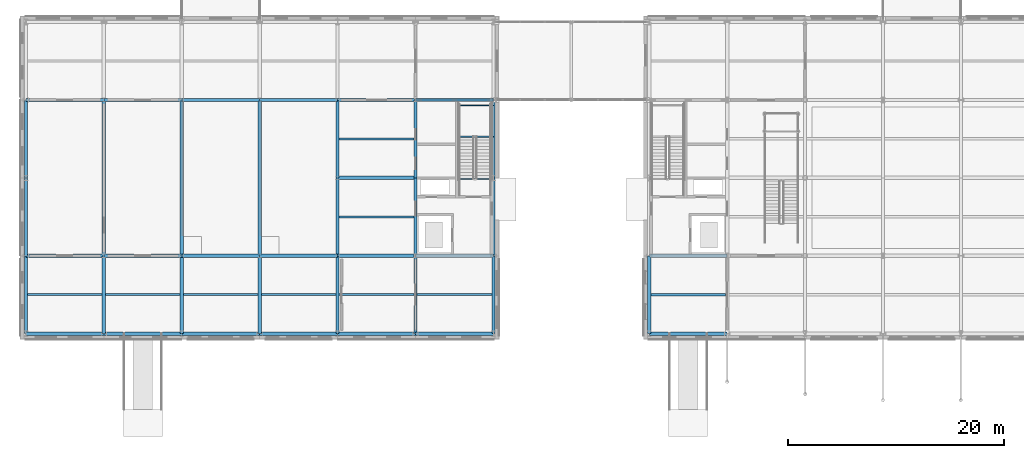
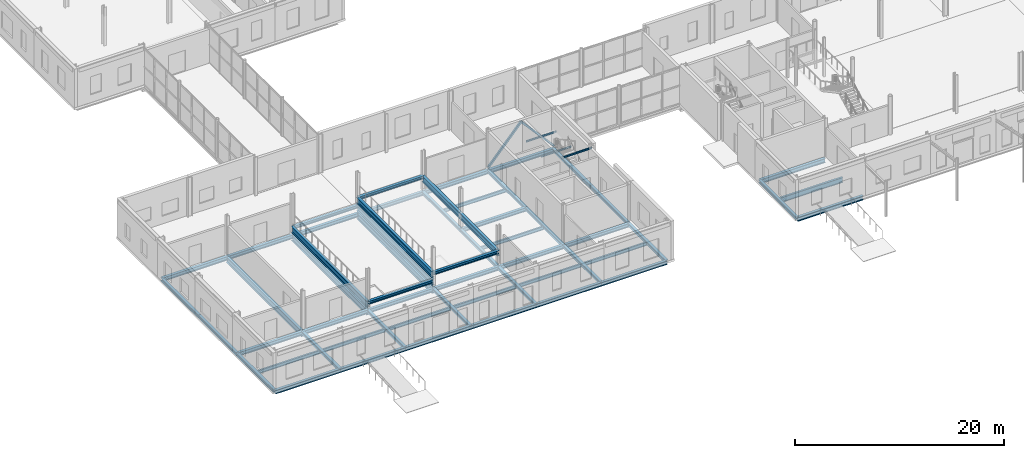
# One storey, part 21 of 92: 60 beams, 2 members.
"""IFC4 building model written with IfcOpenShell, lengths in metres."""

from ifc_helpers import new_model, si_unit, direction, frame, origin, origin_2d, place, context, subcontext, project, spatial, hollow_rectangle, i_section, extrude, material, material_profile, profile_set, type_object, element, save


model = new_model("IFC4")

# Units and contexts
model_context = context("Model", 3, precision=1e-05, world=origin(), true_north=direction((0.0, 1.0)))
body_context = subcontext(model_context, "Body", "Model", "MODEL_VIEW")
ifc_project = project(units=[si_unit("LENGTHUNIT", "METRE"), si_unit("AREAUNIT", "SQUARE_METRE"), si_unit("VOLUMEUNIT", "CUBIC_METRE"), si_unit("PLANEANGLEUNIT", "RADIAN"), si_unit("MASSUNIT", "GRAM", prefix="KILO")], contexts=[model_context])

# Site, building, storey
site_placement = place(None, origin())
site = spatial("IfcSite", under=ifc_project, at=site_placement, CompositionType="ELEMENT")
building_placement = place(site_placement, origin())
building = spatial("IfcBuilding", under=site, at=building_placement, Name="Zlatovets Crest Museum", CompositionType="ELEMENT")
storey_placement = place(building_placement, origin())
storey = spatial("IfcBuildingStorey", under=building, at=storey_placement, Name="L00", CompositionType="ELEMENT", Elevation=0.0)

# Beams
ifc_material = material(Name="Structural steel S355J2", Category="steel")
ifc_material_profile_1 = material_profile(ifc_material, i_section(OverallWidth=0.300048828125, OverallDepth=0.489990234375, WebThickness=0.011962890625, FlangeThickness=0.02294921875, FilletRadius=0.027099609375, at=origin_2d()), Name="HEA 500")
ifc_profile_set_1 = profile_set([ifc_material_profile_1], Name="Structural steel S355J2")
beam_type_1 = type_object("IfcBeamType", Name="Beam_B-01", PredefinedType="BEAM", material=ifc_profile_set_1)
for number, where, z_axis, x_axis, name in (
    (1, (57.60009765625, 0.0, -0.4951171875), (1.0, 0.0, 0.0), (0.0, 1.0, 0.0), "V2 L00 Primary Girder B-01"),
    (2, (57.60009765625, 7.199951171875, -0.4951171875), (1.0, 0.0, 0.0), (0.0, 1.0, 0.0), "V2 L00 Primary Girder B-01"),
):
    element("IfcBeam", number, at=place(storey_placement, frame(where, z_axis=z_axis, x_axis=x_axis)), inside=storey, type_object=beam_type_1, Name=name, PredefinedType="BEAM", context=body_context, shape_type="SweptSolid", body=[
        extrude(i_section(OverallWidth=0.300048828125, OverallDepth=0.489990234375, WebThickness=0.011962890625, FlangeThickness=0.02294921875, FilletRadius=0.027099609375, at=origin_2d()), origin(), (0.0, 0.0, 1.0), 7.199951171875),
    ])
ifc_material_profile_2 = material_profile(ifc_material, i_section(OverallWidth=0.300048828125, OverallDepth=0.35009765625, WebThickness=0.010009765625, FlangeThickness=0.017578125, FilletRadius=0.027099609375, at=origin_2d()), Name="HEA 360")
ifc_profile_set_2 = profile_set([ifc_material_profile_2], Name="Structural steel S355J2")
beam_type_2 = type_object("IfcBeamType", Name="Beam_B-03", PredefinedType="BEAM", material=ifc_profile_set_2)
for number, where, z_axis, x_axis, name in (
    (3, (57.60009765625, 0.0, -0.425048828125), (0.0, 1.0, 0.0), (-1.0, 0.0, 0.0), "V2 L00 Grid Beam B-03"),
    (4, (0.0, 0.0, -0.425048828125), (0.0, 1.0, 0.0), (-1.0, 0.0, 0.0), "V3 L00 Grid Beam B-03"),
    (5, (0.0, 7.199951171875, -0.425048828125), (0.0, 1.0, 0.0), (-1.0, 0.0, 0.0), "V3 L00 Grid Beam B-03"),
):
    element("IfcBeam", number, at=place(storey_placement, frame(where, z_axis=z_axis, x_axis=x_axis)), inside=storey, type_object=beam_type_2, Name=name, PredefinedType="BEAM", context=body_context, shape_type="SweptSolid", body=[
        extrude(i_section(OverallWidth=0.300048828125, OverallDepth=0.35009765625, WebThickness=0.010009765625, FlangeThickness=0.017578125, FilletRadius=0.027099609375, at=origin_2d()), origin(), (0.0, 0.0, 1.0), 7.199951171875),
    ])
beam_1_placement = place(storey_placement, frame((0.0, 14.39990234375, -0.425048828125), z_axis=(0.0, 1.0, 0.0), x_axis=(-1.0, 0.0, 0.0)))
element("IfcBeam", 6, at=beam_1_placement, inside=storey, type_object=beam_type_2, Name="V3 L00 Grid Beam B-03", PredefinedType="BEAM", context=body_context, shape_type="SweptSolid", body=[
    extrude(i_section(OverallWidth=0.300048828125, OverallDepth=0.35009765625, WebThickness=0.010009765625, FlangeThickness=0.017578125, FilletRadius=0.027099609375, at=origin_2d()), origin(), (0.0, 0.0, 1.0), 7.2001953125),
])
for number, where, z_axis, x_axis, name in (
    (7, (7.199951171875, 0.0, -0.425048828125), (0.0, 1.0, 0.0), (-1.0, 0.0, 0.0), "V3 L00 Grid Beam B-03"),
    (8, (14.39990234375, 0.0, -0.425048828125), (0.0, 1.0, 0.0), (-1.0, 0.0, 0.0), "V3 L00 Grid Beam B-03"),
    (9, (21.60009765625, 0.0, -0.425048828125), (0.0, 1.0, 0.0), (-1.0, 0.0, 0.0), "V3 L00 Grid Beam B-03"),
    (10, (28.800048828125, 0.0, -0.425048828125), (0.0, 1.0, 0.0), (-1.0, 0.0, 0.0), "V3 L00 Grid Beam B-03"),
    (11, (28.800048828125, 7.199951171875, -0.425048828125), (0.0, 1.0, 0.0), (-1.0, 0.0, 0.0), "V3 L00 Grid Beam B-03"),
):
    element("IfcBeam", number, at=place(storey_placement, frame(where, z_axis=z_axis, x_axis=x_axis)), inside=storey, type_object=beam_type_2, Name=name, PredefinedType="BEAM", context=body_context, shape_type="SweptSolid", body=[
        extrude(i_section(OverallWidth=0.300048828125, OverallDepth=0.35009765625, WebThickness=0.010009765625, FlangeThickness=0.017578125, FilletRadius=0.027099609375, at=origin_2d()), origin(), (0.0, 0.0, 1.0), 7.199951171875),
    ])
beam_2_placement = place(storey_placement, frame((28.800048828125, 14.39990234375, -0.425048828125), z_axis=(0.0, 1.0, 0.0), x_axis=(-1.0, 0.0, 0.0)))
element("IfcBeam", 12, at=beam_2_placement, inside=storey, type_object=beam_type_2, Name="V3 L00 Grid Beam B-03", PredefinedType="BEAM", context=body_context, shape_type="SweptSolid", body=[
    extrude(i_section(OverallWidth=0.300048828125, OverallDepth=0.35009765625, WebThickness=0.010009765625, FlangeThickness=0.017578125, FilletRadius=0.027099609375, at=origin_2d()), origin(), (0.0, 0.0, 1.0), 7.2001953125),
])
for number, where, z_axis, x_axis, name in (
    (13, (36.0, 0.0, -0.425048828125), (0.0, 1.0, 0.0), (-1.0, 0.0, 0.0), "V3 L00 Grid Beam B-03"),
    (14, (36.0, 7.199951171875, -0.425048828125), (0.0, 1.0, 0.0), (-1.0, 0.0, 0.0), "V3 L00 Grid Beam B-03"),
):
    element("IfcBeam", number, at=place(storey_placement, frame(where, z_axis=z_axis, x_axis=x_axis)), inside=storey, type_object=beam_type_2, Name=name, PredefinedType="BEAM", context=body_context, shape_type="SweptSolid", body=[
        extrude(i_section(OverallWidth=0.300048828125, OverallDepth=0.35009765625, WebThickness=0.010009765625, FlangeThickness=0.017578125, FilletRadius=0.027099609375, at=origin_2d()), origin(), (0.0, 0.0, 1.0), 7.199951171875),
    ])
beam_3_placement = place(storey_placement, frame((36.0, 14.39990234375, -0.425048828125), z_axis=(0.0, 1.0, 0.0), x_axis=(-1.0, 0.0, 0.0)))
element("IfcBeam", 15, at=beam_3_placement, inside=storey, type_object=beam_type_2, Name="V3 L00 Grid Beam B-03", PredefinedType="BEAM", context=body_context, shape_type="SweptSolid", body=[
    extrude(i_section(OverallWidth=0.300048828125, OverallDepth=0.35009765625, WebThickness=0.010009765625, FlangeThickness=0.017578125, FilletRadius=0.027099609375, at=origin_2d()), origin(), (0.0, 0.0, 1.0), 7.2001953125),
])
for number, where, z_axis, x_axis, name in (
    (16, (43.199951171875, 0.0, -0.425048828125), (0.0, 1.0, 0.0), (-1.0, 0.0, 0.0), "V3 L00 Grid Beam B-03"),
    (17, (43.199951171875, 7.199951171875, -0.425048828125), (0.0, 1.0, 0.0), (-1.0, 0.0, 0.0), "V3 L00 Grid Beam B-03"),
):
    element("IfcBeam", number, at=place(storey_placement, frame(where, z_axis=z_axis, x_axis=x_axis)), inside=storey, type_object=beam_type_2, Name=name, PredefinedType="BEAM", context=body_context, shape_type="SweptSolid", body=[
        extrude(i_section(OverallWidth=0.300048828125, OverallDepth=0.35009765625, WebThickness=0.010009765625, FlangeThickness=0.017578125, FilletRadius=0.027099609375, at=origin_2d()), origin(), (0.0, 0.0, 1.0), 7.199951171875),
    ])
for number, where, z_axis, x_axis, name in (
    (18, (43.199951171875, 14.39990234375, -0.425048828125), (0.0, 1.0, 0.0), (-1.0, 0.0, 0.0), "V3 L00 Grid Beam B-03"),
    (19, (14.39990234375, 7.199951171875, 0.52490234375), (1.0, 0.0, 0.0), (0.0, 1.0, 0.0), "Auditorium Tier 1 Edge Beam"),
    (20, (14.39990234375, 21.60009765625, 0.52490234375), (1.0, 0.0, 0.0), (0.0, 1.0, 0.0), "Auditorium Tier 1 Edge Beam"),
):
    element("IfcBeam", number, at=place(storey_placement, frame(where, z_axis=z_axis, x_axis=x_axis)), inside=storey, type_object=beam_type_2, Name=name, PredefinedType="BEAM", context=body_context, shape_type="SweptSolid", body=[
        extrude(i_section(OverallWidth=0.300048828125, OverallDepth=0.35009765625, WebThickness=0.010009765625, FlangeThickness=0.017578125, FilletRadius=0.027099609375, at=origin_2d()), origin(), (0.0, 0.0, 1.0), 7.2001953125),
    ])
for number, where, z_axis, x_axis, name in (
    (21, (21.60009765625, 7.199951171875, 1.425048828125), (1.0, 0.0, 0.0), (0.0, 1.0, 0.0), "Auditorium Tier 2 Edge Beam"),
    (22, (21.60009765625, 21.60009765625, 1.425048828125), (1.0, 0.0, 0.0), (0.0, 1.0, 0.0), "Auditorium Tier 2 Edge Beam"),
):
    element("IfcBeam", number, at=place(storey_placement, frame(where, z_axis=z_axis, x_axis=x_axis)), inside=storey, type_object=beam_type_2, Name=name, PredefinedType="BEAM", context=body_context, shape_type="SweptSolid", body=[
        extrude(i_section(OverallWidth=0.300048828125, OverallDepth=0.35009765625, WebThickness=0.010009765625, FlangeThickness=0.017578125, FilletRadius=0.027099609375, at=origin_2d()), origin(), (0.0, 0.0, 1.0), 7.199951171875),
    ])
ifc_material_profile_3 = material_profile(ifc_material, i_section(OverallWidth=0.300048828125, OverallDepth=0.699951171875, WebThickness=0.01708984375, FlangeThickness=0.031982421875, FilletRadius=0.027099609375, at=origin_2d()), Name="HEB 700")
ifc_profile_set_3 = profile_set([ifc_material_profile_3], Name="Structural steel S355J2")
beam_type_3 = type_object("IfcBeamType", Name="Beam_B-08", PredefinedType="BEAM", material=ifc_profile_set_3)
for number, where, z_axis, x_axis, name in (
    (23, (7.199951171875, 7.199951171875, -0.60009765625), (0.0, 1.0, 0.0), (-1.0, 0.0, 0.0), "V3 L00 Grid Beam B-08"),
    (24, (14.39990234375, 7.199951171875, -0.60009765625), (0.0, 1.0, 0.0), (-1.0, 0.0, 0.0), "V3 L00 Grid Beam B-08"),
    (25, (21.60009765625, 7.199951171875, -0.60009765625), (0.0, 1.0, 0.0), (-1.0, 0.0, 0.0), "V3 L00 Grid Beam B-08"),
    (26, (14.39990234375, 7.199951171875, 0.35009765625), (0.0, 1.0, 0.0), (-1.0, 0.0, 0.0), "Auditorium Tier 1 Span Girder"),
    (27, (21.60009765625, 7.199951171875, 0.35009765625), (0.0, 1.0, 0.0), (-1.0, 0.0, 0.0), "Auditorium Tier 1 Span Girder"),
    (28, (21.60009765625, 7.199951171875, 1.25), (0.0, 1.0, 0.0), (-1.0, 0.0, 0.0), "Auditorium Tier 2 Span Girder"),
    (29, (28.800048828125, 7.199951171875, 1.25), (0.0, 1.0, 0.0), (-1.0, 0.0, 0.0), "Auditorium Tier 2 Span Girder"),
):
    element("IfcBeam", number, at=place(storey_placement, frame(where, z_axis=z_axis, x_axis=x_axis)), inside=storey, type_object=beam_type_3, Name=name, PredefinedType="BEAM", context=body_context, shape_type="SweptSolid", body=[
        extrude(i_section(OverallWidth=0.300048828125, OverallDepth=0.699951171875, WebThickness=0.01708984375, FlangeThickness=0.031982421875, FilletRadius=0.027099609375, at=origin_2d()), origin(), (0.0, 0.0, 1.0), 14.400146484375),
    ])
ifc_material_profile_4 = material_profile(ifc_material, i_section(OverallWidth=0.300048828125, OverallDepth=0.43994140625, WebThickness=0.011474609375, FlangeThickness=0.02099609375, FilletRadius=0.027099609375, at=origin_2d()), Name="HEA 450")
ifc_profile_set_4 = profile_set([ifc_material_profile_4], Name="Structural steel S355J2")
beam_type_4 = type_object("IfcBeamType", Name="Beam_B-10", PredefinedType="BEAM", material=ifc_profile_set_4)
for number, where, z_axis, x_axis, name in (
    (30, (0.0, 0.0, -0.469970703125), (1.0, 0.0, 0.0), (0.0, 1.0, 0.0), "V3 L00 Primary Girder B-10"),
    (31, (7.199951171875, 0.0, -0.469970703125), (1.0, 0.0, 0.0), (0.0, 1.0, 0.0), "V3 L00 Primary Girder B-10"),
):
    element("IfcBeam", number, at=place(storey_placement, frame(where, z_axis=z_axis, x_axis=x_axis)), inside=storey, type_object=beam_type_4, Name=name, PredefinedType="BEAM", context=body_context, shape_type="SweptSolid", body=[
        extrude(i_section(OverallWidth=0.300048828125, OverallDepth=0.43994140625, WebThickness=0.011474609375, FlangeThickness=0.02099609375, FilletRadius=0.027099609375, at=origin_2d()), origin(), (0.0, 0.0, 1.0), 7.199951171875),
    ])
beam_4_placement = place(storey_placement, frame((14.39990234375, 0.0, -0.469970703125), z_axis=(1.0, 0.0, 0.0), x_axis=(0.0, 1.0, 0.0)))
element("IfcBeam", 32, at=beam_4_placement, inside=storey, type_object=beam_type_4, Name="V3 L00 Primary Girder B-10", PredefinedType="BEAM", context=body_context, shape_type="SweptSolid", body=[
    extrude(i_section(OverallWidth=0.300048828125, OverallDepth=0.43994140625, WebThickness=0.011474609375, FlangeThickness=0.02099609375, FilletRadius=0.027099609375, at=origin_2d()), origin(), (0.0, 0.0, 1.0), 7.2001953125),
])
for number, where, z_axis, x_axis, name in (
    (33, (21.60009765625, 0.0, -0.469970703125), (1.0, 0.0, 0.0), (0.0, 1.0, 0.0), "V3 L00 Primary Girder B-10"),
    (34, (28.800048828125, 0.0, -0.469970703125), (1.0, 0.0, 0.0), (0.0, 1.0, 0.0), "V3 L00 Primary Girder B-10"),
    (35, (36.0, 0.0, -0.469970703125), (1.0, 0.0, 0.0), (0.0, 1.0, 0.0), "V3 L00 Primary Girder B-10"),
    (36, (0.0, 7.199951171875, -0.469970703125), (1.0, 0.0, 0.0), (0.0, 1.0, 0.0), "V3 L00 Primary Girder B-10"),
    (37, (7.199951171875, 7.199951171875, -0.469970703125), (1.0, 0.0, 0.0), (0.0, 1.0, 0.0), "V3 L00 Primary Girder B-10"),
):
    element("IfcBeam", number, at=place(storey_placement, frame(where, z_axis=z_axis, x_axis=x_axis)), inside=storey, type_object=beam_type_4, Name=name, PredefinedType="BEAM", context=body_context, shape_type="SweptSolid", body=[
        extrude(i_section(OverallWidth=0.300048828125, OverallDepth=0.43994140625, WebThickness=0.011474609375, FlangeThickness=0.02099609375, FilletRadius=0.027099609375, at=origin_2d()), origin(), (0.0, 0.0, 1.0), 7.199951171875),
    ])
beam_5_placement = place(storey_placement, frame((14.39990234375, 7.199951171875, -0.469970703125), z_axis=(1.0, 0.0, 0.0), x_axis=(0.0, 1.0, 0.0)))
element("IfcBeam", 38, at=beam_5_placement, inside=storey, type_object=beam_type_4, Name="V3 L00 Primary Girder B-10", PredefinedType="BEAM", context=body_context, shape_type="SweptSolid", body=[
    extrude(i_section(OverallWidth=0.300048828125, OverallDepth=0.43994140625, WebThickness=0.011474609375, FlangeThickness=0.02099609375, FilletRadius=0.027099609375, at=origin_2d()), origin(), (0.0, 0.0, 1.0), 7.2001953125),
])
for number, where, z_axis, x_axis, name in (
    (39, (21.60009765625, 7.199951171875, -0.469970703125), (1.0, 0.0, 0.0), (0.0, 1.0, 0.0), "V3 L00 Primary Girder B-10"),
    (40, (28.800048828125, 7.199951171875, -0.469970703125), (1.0, 0.0, 0.0), (0.0, 1.0, 0.0), "V3 L00 Primary Girder B-10"),
    (41, (36.0, 7.199951171875, -0.469970703125), (1.0, 0.0, 0.0), (0.0, 1.0, 0.0), "V3 L00 Primary Girder B-10"),
    (42, (28.800048828125, 14.39990234375, -0.469970703125), (1.0, 0.0, 0.0), (0.0, 1.0, 0.0), "V3 L00 Primary Girder B-10"),
    (43, (0.0, 21.60009765625, -0.469970703125), (1.0, 0.0, 0.0), (0.0, 1.0, 0.0), "V3 L00 Primary Girder B-10"),
    (44, (7.199951171875, 21.60009765625, -0.469970703125), (1.0, 0.0, 0.0), (0.0, 1.0, 0.0), "V3 L00 Primary Girder B-10"),
):
    element("IfcBeam", number, at=place(storey_placement, frame(where, z_axis=z_axis, x_axis=x_axis)), inside=storey, type_object=beam_type_4, Name=name, PredefinedType="BEAM", context=body_context, shape_type="SweptSolid", body=[
        extrude(i_section(OverallWidth=0.300048828125, OverallDepth=0.43994140625, WebThickness=0.011474609375, FlangeThickness=0.02099609375, FilletRadius=0.027099609375, at=origin_2d()), origin(), (0.0, 0.0, 1.0), 7.199951171875),
    ])
beam_6_placement = place(storey_placement, frame((14.39990234375, 21.60009765625, -0.469970703125), z_axis=(1.0, 0.0, 0.0), x_axis=(0.0, 1.0, 0.0)))
element("IfcBeam", 45, at=beam_6_placement, inside=storey, type_object=beam_type_4, Name="V3 L00 Primary Girder B-10", PredefinedType="BEAM", context=body_context, shape_type="SweptSolid", body=[
    extrude(i_section(OverallWidth=0.300048828125, OverallDepth=0.43994140625, WebThickness=0.011474609375, FlangeThickness=0.02099609375, FilletRadius=0.027099609375, at=origin_2d()), origin(), (0.0, 0.0, 1.0), 7.2001953125),
])
for number, where, z_axis, x_axis, name in (
    (46, (21.60009765625, 21.60009765625, -0.469970703125), (1.0, 0.0, 0.0), (0.0, 1.0, 0.0), "V3 L00 Primary Girder B-10"),
    (47, (28.800048828125, 21.60009765625, -0.469970703125), (1.0, 0.0, 0.0), (0.0, 1.0, 0.0), "V3 L00 Primary Girder B-10"),
    (48, (36.0, 21.60009765625, -0.469970703125), (1.0, 0.0, 0.0), (0.0, 1.0, 0.0), "V3 L00 Primary Girder B-10"),
):
    element("IfcBeam", number, at=place(storey_placement, frame(where, z_axis=z_axis, x_axis=x_axis)), inside=storey, type_object=beam_type_4, Name=name, PredefinedType="BEAM", context=body_context, shape_type="SweptSolid", body=[
        extrude(i_section(OverallWidth=0.300048828125, OverallDepth=0.43994140625, WebThickness=0.011474609375, FlangeThickness=0.02099609375, FilletRadius=0.027099609375, at=origin_2d()), origin(), (0.0, 0.0, 1.0), 7.199951171875),
    ])
ifc_material_profile_5 = material_profile(ifc_material, i_section(OverallWidth=0.179931640625, OverallDepth=0.39990234375, WebThickness=0.008544921875, FlangeThickness=0.013427734375, FilletRadius=0.02099609375, at=origin_2d()), Name="IPE 400")
ifc_profile_set_5 = profile_set([ifc_material_profile_5], Name="Structural steel S355J2")
beam_type_5 = type_object("IfcBeamType", Name="Beam_J-04", PredefinedType="JOIST", material=ifc_profile_set_5)
beam_7_placement = place(storey_placement, frame((0.14990234375, 3.60009765625, -0.449951171875), z_axis=(1.0, 0.0, 0.0), x_axis=(0.0, 1.0, 0.0)))
element("IfcBeam", 49, at=beam_7_placement, inside=storey, type_object=beam_type_5, Name="V3 L00 Composite Joist J-04", PredefinedType="JOIST", context=body_context, shape_type="SweptSolid", body=[
    extrude(i_section(OverallWidth=0.179931640625, OverallDepth=0.39990234375, WebThickness=0.008544921875, FlangeThickness=0.013427734375, FilletRadius=0.02099609375, at=origin_2d()), origin(), (0.0, 0.0, 1.0), 6.900146484375),
])
for number, where, z_axis, x_axis, name in (
    (50, (7.35009765625, 3.60009765625, -0.449951171875), (1.0, 0.0, 0.0), (0.0, 1.0, 0.0), "V3 L00 Composite Joist J-04"),
    (51, (14.550048828125, 3.60009765625, -0.449951171875), (1.0, 0.0, 0.0), (0.0, 1.0, 0.0), "V3 L00 Composite Joist J-04"),
    (52, (21.75, 3.60009765625, -0.449951171875), (1.0, 0.0, 0.0), (0.0, 1.0, 0.0), "V3 L00 Composite Joist J-04"),
):
    element("IfcBeam", number, at=place(storey_placement, frame(where, z_axis=z_axis, x_axis=x_axis)), inside=storey, type_object=beam_type_5, Name=name, PredefinedType="JOIST", context=body_context, shape_type="SweptSolid", body=[
        extrude(i_section(OverallWidth=0.179931640625, OverallDepth=0.39990234375, WebThickness=0.008544921875, FlangeThickness=0.013427734375, FilletRadius=0.02099609375, at=origin_2d()), origin(), (0.0, 0.0, 1.0), 6.89990234375),
    ])
for number, where, z_axis, x_axis, name in (
    (53, (28.949951171875, 3.60009765625, -0.449951171875), (1.0, 0.0, 0.0), (0.0, 1.0, 0.0), "V3 L00 Composite Joist J-04"),
    (54, (28.949951171875, 10.800048828125, -0.449951171875), (1.0, 0.0, 0.0), (0.0, 1.0, 0.0), "V3 L00 Composite Joist J-04"),
    (55, (28.949951171875, 18.0, -0.449951171875), (1.0, 0.0, 0.0), (0.0, 1.0, 0.0), "V3 L00 Composite Joist J-04"),
    (56, (36.14990234375, 3.60009765625, -0.449951171875), (1.0, 0.0, 0.0), (0.0, 1.0, 0.0), "V3 L00 Composite Joist J-04"),
):
    element("IfcBeam", number, at=place(storey_placement, frame(where, z_axis=z_axis, x_axis=x_axis)), inside=storey, type_object=beam_type_5, Name=name, PredefinedType="JOIST", context=body_context, shape_type="SweptSolid", body=[
        extrude(i_section(OverallWidth=0.179931640625, OverallDepth=0.39990234375, WebThickness=0.008544921875, FlangeThickness=0.013427734375, FilletRadius=0.02099609375, at=origin_2d()), origin(), (0.0, 0.0, 1.0), 6.900146484375),
    ])
ifc_material_profile_6 = material_profile(ifc_material, i_section(OverallWidth=0.219970703125, OverallDepth=0.60009765625, WebThickness=0.011962890625, FlangeThickness=0.01904296875, FilletRadius=0.02392578125, at=origin_2d()), Name="IPE 600")
ifc_profile_set_6 = profile_set([ifc_material_profile_6], Name="Structural steel S355J2")
beam_type_6 = type_object("IfcBeamType", Name="Beam_J-08", PredefinedType="BEAM", material=ifc_profile_set_6)
beam_8_placement = place(storey_placement, frame((57.75, 3.60009765625, -0.550048828125), z_axis=(1.0, 0.0, 0.0), x_axis=(0.0, 1.0, 0.0)))
element("IfcBeam", 57, at=beam_8_placement, inside=storey, type_object=beam_type_6, Name="V2 L00 Composite Joist J-08", PredefinedType="BEAM", context=body_context, shape_type="SweptSolid", body=[
    extrude(i_section(OverallWidth=0.219970703125, OverallDepth=0.60009765625, WebThickness=0.011962890625, FlangeThickness=0.01904296875, FilletRadius=0.02392578125, at=origin_2d()), origin(), (0.0, 0.0, 1.0), 6.89990234375),
])
ifc_material_profile_7 = material_profile(ifc_material, i_section(OverallWidth=0.10009765625, OverallDepth=0.199951171875, WebThickness=0.005615234375, FlangeThickness=0.008544921875, FilletRadius=0.011962890625, at=origin_2d()), Name="IPE 200")
ifc_profile_set_7 = profile_set([ifc_material_profile_7], Name="Structural steel S355J2")
beam_type_7 = type_object("IfcBeamType", Name="Beam_PR-02", PredefinedType="LINTEL", material=ifc_profile_set_7)
for number, where, z_axis, x_axis, name in (
    (58, (39.85009765625, 14.300048828125, 4.159912109375), (1.0, 0.0, 0.0), (0.0, 1.0, 0.0), "Core C3 L00 Stair Well Header Beam"),
    (59, (39.85009765625, 18.199951171875, 1.949951171875), (1.0, 0.0, 0.0), (0.0, 1.0, 0.0), "Core C3 L00 Half-Landing Support Beam"),
    (60, (39.85009765625, 21.080078125, 1.949951171875), (1.0, 0.0, 0.0), (0.0, 1.0, 0.0), "Core C3 L00 Half-Landing Support Beam"),
):
    element("IfcBeam", number, at=place(storey_placement, frame(where, z_axis=z_axis, x_axis=x_axis)), inside=storey, type_object=beam_type_7, Name=name, PredefinedType="LINTEL", context=body_context, shape_type="SweptSolid", body=[
        extrude(i_section(OverallWidth=0.10009765625, OverallDepth=0.199951171875, WebThickness=0.005615234375, FlangeThickness=0.008544921875, FilletRadius=0.011962890625, at=origin_2d()), origin(), (0.0, 0.0, 1.0), 3.349853515625),
    ])

# Members
ifc_material_profile_8 = material_profile(ifc_material, hollow_rectangle(XDim=0.219970703125, YDim=0.219970703125, WallThickness=0.012451171875, InnerFilletRadius=0.012451171875, OuterFilletRadius=0.02490234375, at=origin_2d()), Name="SHS 220x220x12.5")
ifc_profile_set_8 = profile_set([ifc_material_profile_8], Name="Structural steel S355J2")
member_type = type_object("IfcMemberType", Name="Member_BR-07", PredefinedType="BRACE", material=ifc_profile_set_8)
for number, where, z_axis, x_axis, name in (
    (61, (36.0, 21.60009765625, 0.0), (0.664369431748, 0.0, 0.747404347163), (0.0, 1.0, 0.0), "V3 L00 Concentric Seismic Brace"),
    (62, (43.199951171875, 21.60009765625, 0.0), (-0.664344262737, 0.0, 0.747426719196), (0.0, -1.0, 0.0), "V3 L00 Concentric Seismic Brace"),
):
    element("IfcMember", number, at=place(storey_placement, frame(where, z_axis=z_axis, x_axis=x_axis)), inside=storey, type_object=member_type, Name=name, PredefinedType="BRACE", context=body_context, shape_type="SweptSolid", body=[
        extrude(hollow_rectangle(XDim=0.219970703125, YDim=0.219970703125, WallThickness=0.012451171875, InnerFilletRadius=0.012451171875, OuterFilletRadius=0.02490234375, at=origin_2d()), origin(), (0.0, 0.0, 1.0), 5.418701171875),
    ])

save(model, "model.ifc")
